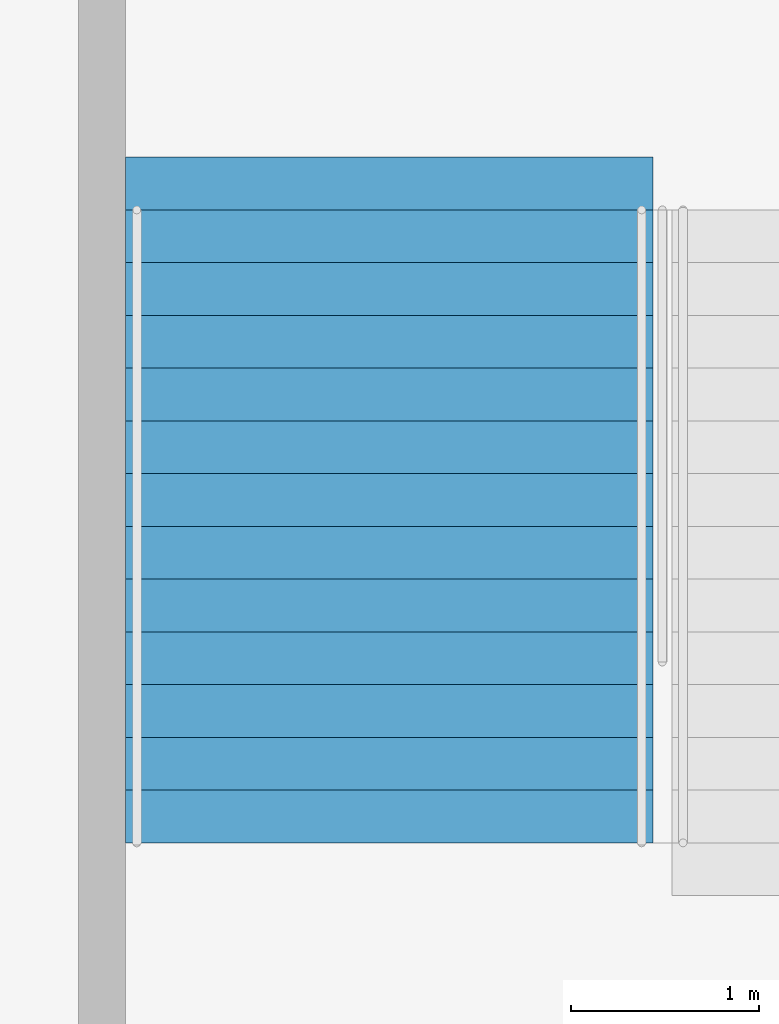
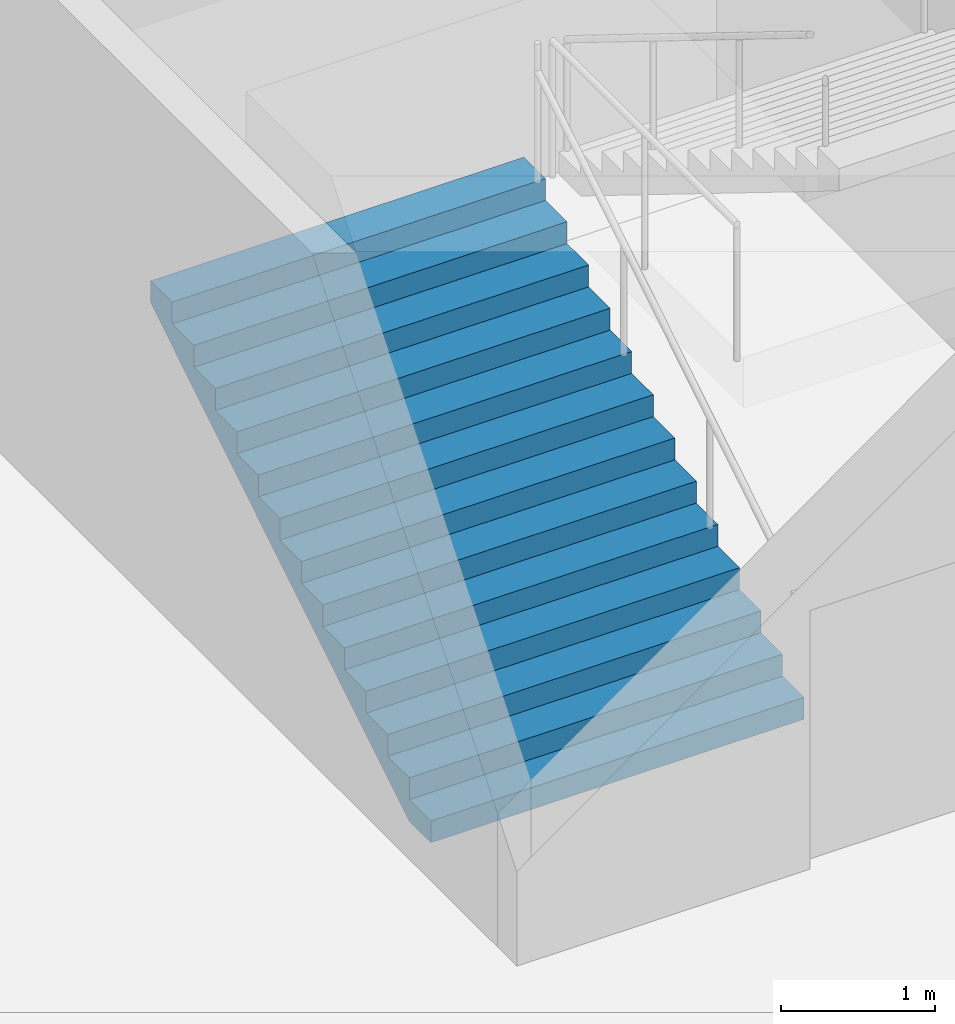
# One storey, part 102 of 115: 1 stair flight, 1 element without a shape of its own.
"""IFC4 building model written with IfcOpenShell, lengths in metres."""

from ifc_helpers import new_model, si_unit, direction, frame, origin, place, context, subcontext, project, spatial, faceted_brep, material, type_object, element, aggregate, save


model = new_model("IFC4")

# Units and contexts
model_context = context("Model", 3, precision=1e-05, world=origin(), true_north=direction((0.0, 1.0)))
body_context = subcontext(model_context, "Body", "Model", "MODEL_VIEW")
ifc_project = project(units=[si_unit("LENGTHUNIT", "METRE"), si_unit("AREAUNIT", "SQUARE_METRE"), si_unit("VOLUMEUNIT", "CUBIC_METRE"), si_unit("PLANEANGLEUNIT", "RADIAN"), si_unit("MASSUNIT", "GRAM", prefix="KILO")], contexts=[model_context])

# Site, building, storey
site_placement = place(None, origin())
site = spatial("IfcSite", under=ifc_project, at=site_placement, CompositionType="ELEMENT")
building_placement = place(site_placement, origin())
building = spatial("IfcBuilding", under=site, at=building_placement, Name="Ogive Plaza Stadium", CompositionType="ELEMENT")
storey_placement = place(building_placement, frame((0.0, 0.0, -4.5)))
storey = spatial("IfcBuildingStorey", under=building, at=storey_placement, Name="B1", CompositionType="ELEMENT", Elevation=-4.5)

# Stair, stair flight
ifc_material_1 = material(Name="Concrete C40/50", Category="concrete")
stair_type = type_object("IfcStairType", Name="Exit stair", PredefinedType="STRAIGHT_RUN_STAIR", material=ifc_material_1)
stair_placement = place(storey_placement, origin())
stair = element("IfcStair", 1, at=stair_placement, inside=storey, type_object=stair_type, Name="Exit stair ST36B B1 to L00", PredefinedType="STRAIGHT_RUN_STAIR")
ifc_material_2 = material(Name="Concrete C40/50", Category="concrete")
stair_flight_type = type_object("IfcStairFlightType", Name="Exit stair flight", PredefinedType="STRAIGHT", material=ifc_material_2)
stair_flight_placement = place(storey_placement, frame((15.97509765625, 94.85009765625, 0.0), z_axis=(0.0, 0.0, 1.0), x_axis=(0.0, 1.0, 0.0)))
stair_flight = element("IfcStairFlight", 2, at=stair_flight_placement, type_object=stair_flight_type, Name="ST36B flight 1", NumberOfRisers=13, NumberOfTreads=12, PredefinedType="STRAIGHT", RiserHeight=0.173076923, TreadLength=0.28, context=body_context, shape_type="Brep", body=[
    faceted_brep([(0.28515625, -1.39990234375, 0.0), (3.639892578125, -1.39990234375, 2.07373046875), (3.639892578125, -1.39990234375, 2.25), (3.360107421875, -1.39990234375, 2.25), (3.360107421875, -1.39990234375, 2.076904296875), (3.080078125, -1.39990234375, 2.076904296875), (3.080078125, -1.39990234375, 1.90380859375), (2.800048828125, -1.39990234375, 1.90380859375), (2.800048828125, -1.39990234375, 1.730712890625), (2.52001953125, -1.39990234375, 1.730712890625), (2.52001953125, -1.39990234375, 1.5576171875), (2.239990234375, -1.39990234375, 1.5576171875), (2.239990234375, -1.39990234375, 1.384521484375), (1.9599609375, -1.39990234375, 1.384521484375), (1.9599609375, -1.39990234375, 1.21142578125), (1.679931640625, -1.39990234375, 1.21142578125), (1.679931640625, -1.39990234375, 1.03857421875), (1.39990234375, -1.39990234375, 1.03857421875), (1.39990234375, -1.39990234375, 0.865478515625), (1.1201171875, -1.39990234375, 0.865478515625), (1.1201171875, -1.39990234375, 0.6923828125), (0.840087890625, -1.39990234375, 0.6923828125), (0.840087890625, -1.39990234375, 0.519287109375), (0.56005859375, -1.39990234375, 0.519287109375), (0.56005859375, -1.39990234375, 0.34619140625), (0.280029296875, -1.39990234375, 0.34619140625), (0.280029296875, -1.39990234375, 0.173095703125), (0.0, -1.39990234375, 0.173095703125), (0.0, -1.39990234375, 0.0), (0.0, 1.39990234375, 0.0), (0.0, 1.39990234375, 0.173095703125), (0.280029296875, 1.39990234375, 0.173095703125), (0.280029296875, 1.39990234375, 0.34619140625), (0.56005859375, 1.39990234375, 0.34619140625), (0.56005859375, 1.39990234375, 0.519287109375), (0.840087890625, 1.39990234375, 0.519287109375), (0.840087890625, 1.39990234375, 0.6923828125), (1.1201171875, 1.39990234375, 0.6923828125), (1.1201171875, 1.39990234375, 0.865478515625), (1.39990234375, 1.39990234375, 0.865478515625), (1.39990234375, 1.39990234375, 1.03857421875), (1.679931640625, 1.39990234375, 1.03857421875), (1.679931640625, 1.39990234375, 1.21142578125), (1.9599609375, 1.39990234375, 1.21142578125), (1.9599609375, 1.39990234375, 1.384521484375), (2.239990234375, 1.39990234375, 1.384521484375), (2.239990234375, 1.39990234375, 1.5576171875), (2.52001953125, 1.39990234375, 1.5576171875), (2.52001953125, 1.39990234375, 1.730712890625), (2.800048828125, 1.39990234375, 1.730712890625), (2.800048828125, 1.39990234375, 1.90380859375), (3.080078125, 1.39990234375, 1.90380859375), (3.080078125, 1.39990234375, 2.076904296875), (3.360107421875, 1.39990234375, 2.076904296875), (3.360107421875, 1.39990234375, 2.25), (3.639892578125, 1.39990234375, 2.25), (3.639892578125, 1.39990234375, 2.07373046875), (0.28515625, 1.39990234375, 0.0), (0.28515625, -1.0888671875, 0.0), (3.639892578125, -1.0888671875, 2.07373046875), (0.28515625, -0.77783203125, 0.0), (3.639892578125, -0.77783203125, 2.07373046875), (0.28515625, -0.466796875, 0.0), (3.639892578125, -0.466796875, 2.07373046875), (0.28515625, -0.155517578125, 0.0), (3.639892578125, -0.155517578125, 2.07373046875), (0.28515625, 0.155517578125, 0.0), (3.639892578125, 0.155517578125, 2.07373046875), (0.28515625, 0.466796875, 0.0), (3.639892578125, 0.466796875, 2.07373046875), (0.28515625, 0.77783203125, 0.0), (3.639892578125, 0.77783203125, 2.07373046875), (0.28515625, 1.0888671875, 0.0), (3.639892578125, 1.0888671875, 2.07373046875), (3.639892578125, -1.0888671875, 2.25), (3.639892578125, -0.77783203125, 2.25), (3.639892578125, -0.466796875, 2.25), (3.639892578125, -0.155517578125, 2.25), (3.639892578125, 0.155517578125, 2.25), (3.639892578125, 0.466796875, 2.25), (3.639892578125, 0.77783203125, 2.25), (3.639892578125, 1.0888671875, 2.25), (3.360107421875, -1.0888671875, 2.25), (3.360107421875, -0.77783203125, 2.25), (3.360107421875, -0.466796875, 2.25), (3.360107421875, -0.155517578125, 2.25), (3.360107421875, 0.155517578125, 2.25), (3.360107421875, 0.466796875, 2.25), (3.360107421875, 0.77783203125, 2.25), (3.360107421875, 1.0888671875, 2.25), (3.360107421875, -1.0888671875, 2.076904296875), (3.360107421875, -0.77783203125, 2.076904296875), (3.360107421875, -0.466796875, 2.076904296875), (3.360107421875, -0.155517578125, 2.076904296875), (3.360107421875, 0.155517578125, 2.076904296875), (3.360107421875, 0.466796875, 2.076904296875), (3.360107421875, 0.77783203125, 2.076904296875), (3.360107421875, 1.0888671875, 2.076904296875), (3.080078125, -1.0888671875, 2.076904296875), (3.080078125, -0.77783203125, 2.076904296875), (3.080078125, -0.466796875, 2.076904296875), (3.080078125, -0.155517578125, 2.076904296875), (3.080078125, 0.155517578125, 2.076904296875), (3.080078125, 0.466796875, 2.076904296875), (3.080078125, 0.77783203125, 2.076904296875), (3.080078125, 1.0888671875, 2.076904296875), (3.080078125, -1.0888671875, 1.90380859375), (3.080078125, -0.77783203125, 1.90380859375), (3.080078125, -0.466796875, 1.90380859375), (3.080078125, -0.155517578125, 1.90380859375), (3.080078125, 0.155517578125, 1.90380859375), (3.080078125, 0.466796875, 1.90380859375), (3.080078125, 0.77783203125, 1.90380859375), (3.080078125, 1.0888671875, 1.90380859375), (2.800048828125, -1.0888671875, 1.90380859375), (2.800048828125, -0.77783203125, 1.90380859375), (2.800048828125, -0.466796875, 1.90380859375), (2.800048828125, -0.155517578125, 1.90380859375), (2.800048828125, 0.155517578125, 1.90380859375), (2.800048828125, 0.466796875, 1.90380859375), (2.800048828125, 0.77783203125, 1.90380859375), (2.800048828125, 1.0888671875, 1.90380859375), (2.800048828125, -1.0888671875, 1.730712890625), (2.800048828125, -0.77783203125, 1.730712890625), (2.800048828125, -0.466796875, 1.730712890625), (2.800048828125, -0.155517578125, 1.730712890625), (2.800048828125, 0.155517578125, 1.730712890625), (2.800048828125, 0.466796875, 1.730712890625), (2.800048828125, 0.77783203125, 1.730712890625), (2.800048828125, 1.0888671875, 1.730712890625), (2.52001953125, -1.0888671875, 1.730712890625), (2.52001953125, -0.77783203125, 1.730712890625), (2.52001953125, -0.466796875, 1.730712890625), (2.52001953125, -0.155517578125, 1.730712890625), (2.52001953125, 0.155517578125, 1.730712890625), (2.52001953125, 0.466796875, 1.730712890625), (2.52001953125, 0.77783203125, 1.730712890625), (2.52001953125, 1.0888671875, 1.730712890625), (2.52001953125, -1.0888671875, 1.5576171875), (2.52001953125, -0.77783203125, 1.5576171875), (2.52001953125, -0.466796875, 1.5576171875), (2.52001953125, -0.155517578125, 1.5576171875), (2.52001953125, 0.155517578125, 1.5576171875), (2.52001953125, 0.466796875, 1.5576171875), (2.52001953125, 0.77783203125, 1.5576171875), (2.52001953125, 1.0888671875, 1.5576171875), (2.239990234375, -1.0888671875, 1.5576171875), (2.239990234375, -0.77783203125, 1.5576171875), (2.239990234375, -0.466796875, 1.5576171875), (2.239990234375, -0.155517578125, 1.5576171875), (2.239990234375, 0.155517578125, 1.5576171875), (2.239990234375, 0.466796875, 1.5576171875), (2.239990234375, 0.77783203125, 1.5576171875), (2.239990234375, 1.0888671875, 1.5576171875), (2.239990234375, -1.0888671875, 1.384521484375), (2.239990234375, -0.77783203125, 1.384521484375), (2.239990234375, -0.466796875, 1.384521484375), (2.239990234375, -0.155517578125, 1.384521484375), (2.239990234375, 0.155517578125, 1.384521484375), (2.239990234375, 0.466796875, 1.384521484375), (2.239990234375, 0.77783203125, 1.384521484375), (2.239990234375, 1.0888671875, 1.384521484375), (1.9599609375, -1.0888671875, 1.384521484375), (1.9599609375, -0.77783203125, 1.384521484375), (1.9599609375, -0.466796875, 1.384521484375), (1.9599609375, -0.155517578125, 1.384521484375), (1.9599609375, 0.155517578125, 1.384521484375), (1.9599609375, 0.466796875, 1.384521484375), (1.9599609375, 0.77783203125, 1.384521484375), (1.9599609375, 1.0888671875, 1.384521484375), (1.9599609375, -1.0888671875, 1.21142578125), (1.9599609375, -0.77783203125, 1.21142578125), (1.9599609375, -0.466796875, 1.21142578125), (1.9599609375, -0.155517578125, 1.21142578125), (1.9599609375, 0.155517578125, 1.21142578125), (1.9599609375, 0.466796875, 1.21142578125), (1.9599609375, 0.77783203125, 1.21142578125), (1.9599609375, 1.0888671875, 1.21142578125), (1.679931640625, -1.0888671875, 1.21142578125), (1.679931640625, -0.77783203125, 1.21142578125), (1.679931640625, -0.466796875, 1.21142578125), (1.679931640625, -0.155517578125, 1.21142578125), (1.679931640625, 0.155517578125, 1.21142578125), (1.679931640625, 0.466796875, 1.21142578125), (1.679931640625, 0.77783203125, 1.21142578125), (1.679931640625, 1.0888671875, 1.21142578125), (1.679931640625, -1.0888671875, 1.03857421875), (1.679931640625, -0.77783203125, 1.03857421875), (1.679931640625, -0.466796875, 1.03857421875), (1.679931640625, -0.155517578125, 1.03857421875), (1.679931640625, 0.155517578125, 1.03857421875), (1.679931640625, 0.466796875, 1.03857421875), (1.679931640625, 0.77783203125, 1.03857421875), (1.679931640625, 1.0888671875, 1.03857421875), (1.39990234375, -1.0888671875, 1.03857421875), (1.39990234375, -0.77783203125, 1.03857421875), (1.39990234375, -0.466796875, 1.03857421875), (1.39990234375, -0.155517578125, 1.03857421875), (1.39990234375, 0.155517578125, 1.03857421875), (1.39990234375, 0.466796875, 1.03857421875), (1.39990234375, 0.77783203125, 1.03857421875), (1.39990234375, 1.0888671875, 1.03857421875), (1.39990234375, -1.0888671875, 0.865478515625), (1.39990234375, -0.77783203125, 0.865478515625), (1.39990234375, -0.466796875, 0.865478515625), (1.39990234375, -0.155517578125, 0.865478515625), (1.39990234375, 0.155517578125, 0.865478515625), (1.39990234375, 0.466796875, 0.865478515625), (1.39990234375, 0.77783203125, 0.865478515625), (1.39990234375, 1.0888671875, 0.865478515625), (1.1201171875, -1.0888671875, 0.865478515625), (1.1201171875, -0.77783203125, 0.865478515625), (1.1201171875, -0.466796875, 0.865478515625), (1.1201171875, -0.155517578125, 0.865478515625), (1.1201171875, 0.155517578125, 0.865478515625), (1.1201171875, 0.466796875, 0.865478515625), (1.1201171875, 0.77783203125, 0.865478515625), (1.1201171875, 1.0888671875, 0.865478515625), (1.1201171875, -1.0888671875, 0.6923828125), (1.1201171875, -0.77783203125, 0.6923828125), (1.1201171875, -0.466796875, 0.6923828125), (1.1201171875, -0.155517578125, 0.6923828125), (1.1201171875, 0.155517578125, 0.6923828125), (1.1201171875, 0.466796875, 0.6923828125), (1.1201171875, 0.77783203125, 0.6923828125), (1.1201171875, 1.0888671875, 0.6923828125), (0.840087890625, -1.0888671875, 0.6923828125), (0.840087890625, -0.77783203125, 0.6923828125), (0.840087890625, -0.466796875, 0.6923828125), (0.840087890625, -0.155517578125, 0.6923828125), (0.840087890625, 0.155517578125, 0.6923828125), (0.840087890625, 0.466796875, 0.6923828125), (0.840087890625, 0.77783203125, 0.6923828125), (0.840087890625, 1.0888671875, 0.6923828125), (0.840087890625, -1.0888671875, 0.519287109375), (0.840087890625, -0.77783203125, 0.519287109375), (0.840087890625, -0.466796875, 0.519287109375), (0.840087890625, -0.155517578125, 0.519287109375), (0.840087890625, 0.155517578125, 0.519287109375), (0.840087890625, 0.466796875, 0.519287109375), (0.840087890625, 0.77783203125, 0.519287109375), (0.840087890625, 1.0888671875, 0.519287109375), (0.56005859375, -1.0888671875, 0.519287109375), (0.56005859375, -0.77783203125, 0.519287109375), (0.56005859375, -0.466796875, 0.519287109375), (0.56005859375, -0.155517578125, 0.519287109375), (0.56005859375, 0.155517578125, 0.519287109375), (0.56005859375, 0.466796875, 0.519287109375), (0.56005859375, 0.77783203125, 0.519287109375), (0.56005859375, 1.0888671875, 0.519287109375), (0.56005859375, -1.0888671875, 0.34619140625), (0.56005859375, -0.77783203125, 0.34619140625), (0.56005859375, -0.466796875, 0.34619140625), (0.56005859375, -0.155517578125, 0.34619140625), (0.56005859375, 0.155517578125, 0.34619140625), (0.56005859375, 0.466796875, 0.34619140625), (0.56005859375, 0.77783203125, 0.34619140625), (0.56005859375, 1.0888671875, 0.34619140625), (0.280029296875, -1.0888671875, 0.34619140625), (0.280029296875, -0.77783203125, 0.34619140625), (0.280029296875, -0.466796875, 0.34619140625), (0.280029296875, -0.155517578125, 0.34619140625), (0.280029296875, 0.155517578125, 0.34619140625), (0.280029296875, 0.466796875, 0.34619140625), (0.280029296875, 0.77783203125, 0.34619140625), (0.280029296875, 1.0888671875, 0.34619140625), (0.280029296875, -1.0888671875, 0.173095703125), (0.280029296875, -0.77783203125, 0.173095703125), (0.280029296875, -0.466796875, 0.173095703125), (0.280029296875, -0.155517578125, 0.173095703125), (0.280029296875, 0.155517578125, 0.173095703125), (0.280029296875, 0.466796875, 0.173095703125), (0.280029296875, 0.77783203125, 0.173095703125), (0.280029296875, 1.0888671875, 0.173095703125), (0.0, -1.0888671875, 0.173095703125), (0.0, -0.77783203125, 0.173095703125), (0.0, -0.466796875, 0.173095703125), (0.0, -0.155517578125, 0.173095703125), (0.0, 0.155517578125, 0.173095703125), (0.0, 0.466796875, 0.173095703125), (0.0, 0.77783203125, 0.173095703125), (0.0, 1.0888671875, 0.173095703125), (0.0, -1.0888671875, 0.0), (0.0, -0.77783203125, 0.0), (0.0, -0.466796875, 0.0), (0.0, -0.155517578125, 0.0), (0.0, 0.155517578125, 0.0), (0.0, 0.466796875, 0.0), (0.0, 0.77783203125, 0.0), (0.0, 1.0888671875, 0.0)], [[[0, 1, 2, 3, 4, 5, 6, 7, 8, 9, 10, 11, 12, 13, 14, 15, 16, 17, 18, 19, 20, 21, 22, 23, 24, 25, 26, 27, 28]], [[29, 30, 31, 32, 33, 34, 35, 36, 37, 38, 39, 40, 41, 42, 43, 44, 45, 46, 47, 48, 49, 50, 51, 52, 53, 54, 55, 56, 57]], [[0, 58, 59, 1]], [[58, 60, 61, 59]], [[60, 62, 63, 61]], [[62, 64, 65, 63]], [[64, 66, 67, 65]], [[66, 68, 69, 67]], [[68, 70, 71, 69]], [[70, 72, 73, 71]], [[72, 57, 56, 73]], [[1, 59, 74, 2]], [[59, 61, 75, 74]], [[61, 63, 76, 75]], [[63, 65, 77, 76]], [[65, 67, 78, 77]], [[67, 69, 79, 78]], [[69, 71, 80, 79]], [[71, 73, 81, 80]], [[73, 56, 55, 81]], [[2, 74, 82, 3]], [[74, 75, 83, 82]], [[75, 76, 84, 83]], [[76, 77, 85, 84]], [[77, 78, 86, 85]], [[78, 79, 87, 86]], [[79, 80, 88, 87]], [[80, 81, 89, 88]], [[81, 55, 54, 89]], [[3, 82, 90, 4]], [[82, 83, 91, 90]], [[83, 84, 92, 91]], [[84, 85, 93, 92]], [[85, 86, 94, 93]], [[86, 87, 95, 94]], [[87, 88, 96, 95]], [[88, 89, 97, 96]], [[89, 54, 53, 97]], [[4, 90, 98, 5]], [[90, 91, 99, 98]], [[91, 92, 100, 99]], [[92, 93, 101, 100]], [[93, 94, 102, 101]], [[94, 95, 103, 102]], [[95, 96, 104, 103]], [[96, 97, 105, 104]], [[97, 53, 52, 105]], [[5, 98, 106, 6]], [[98, 99, 107, 106]], [[99, 100, 108, 107]], [[100, 101, 109, 108]], [[101, 102, 110, 109]], [[102, 103, 111, 110]], [[103, 104, 112, 111]], [[104, 105, 113, 112]], [[105, 52, 51, 113]], [[6, 106, 114, 7]], [[106, 107, 115, 114]], [[107, 108, 116, 115]], [[108, 109, 117, 116]], [[109, 110, 118, 117]], [[110, 111, 119, 118]], [[111, 112, 120, 119]], [[112, 113, 121, 120]], [[113, 51, 50, 121]], [[7, 114, 122, 8]], [[114, 115, 123, 122]], [[115, 116, 124, 123]], [[116, 117, 125, 124]], [[117, 118, 126, 125]], [[118, 119, 127, 126]], [[119, 120, 128, 127]], [[120, 121, 129, 128]], [[121, 50, 49, 129]], [[8, 122, 130, 9]], [[122, 123, 131, 130]], [[123, 124, 132, 131]], [[124, 125, 133, 132]], [[125, 126, 134, 133]], [[126, 127, 135, 134]], [[127, 128, 136, 135]], [[128, 129, 137, 136]], [[129, 49, 48, 137]], [[9, 130, 138, 10]], [[130, 131, 139, 138]], [[131, 132, 140, 139]], [[132, 133, 141, 140]], [[133, 134, 142, 141]], [[134, 135, 143, 142]], [[135, 136, 144, 143]], [[136, 137, 145, 144]], [[137, 48, 47, 145]], [[10, 138, 146, 11]], [[138, 139, 147, 146]], [[139, 140, 148, 147]], [[140, 141, 149, 148]], [[141, 142, 150, 149]], [[142, 143, 151, 150]], [[143, 144, 152, 151]], [[144, 145, 153, 152]], [[145, 47, 46, 153]], [[11, 146, 154, 12]], [[146, 147, 155, 154]], [[147, 148, 156, 155]], [[148, 149, 157, 156]], [[149, 150, 158, 157]], [[150, 151, 159, 158]], [[151, 152, 160, 159]], [[152, 153, 161, 160]], [[153, 46, 45, 161]], [[12, 154, 162, 13]], [[154, 155, 163, 162]], [[155, 156, 164, 163]], [[156, 157, 165, 164]], [[157, 158, 166, 165]], [[158, 159, 167, 166]], [[159, 160, 168, 167]], [[160, 161, 169, 168]], [[161, 45, 44, 169]], [[13, 162, 170, 14]], [[162, 163, 171, 170]], [[163, 164, 172, 171]], [[164, 165, 173, 172]], [[165, 166, 174, 173]], [[166, 167, 175, 174]], [[167, 168, 176, 175]], [[168, 169, 177, 176]], [[169, 44, 43, 177]], [[14, 170, 178, 15]], [[170, 171, 179, 178]], [[171, 172, 180, 179]], [[172, 173, 181, 180]], [[173, 174, 182, 181]], [[174, 175, 183, 182]], [[175, 176, 184, 183]], [[176, 177, 185, 184]], [[177, 43, 42, 185]], [[15, 178, 186, 16]], [[178, 179, 187, 186]], [[179, 180, 188, 187]], [[180, 181, 189, 188]], [[181, 182, 190, 189]], [[182, 183, 191, 190]], [[183, 184, 192, 191]], [[184, 185, 193, 192]], [[185, 42, 41, 193]], [[16, 186, 194, 17]], [[186, 187, 195, 194]], [[187, 188, 196, 195]], [[188, 189, 197, 196]], [[189, 190, 198, 197]], [[190, 191, 199, 198]], [[191, 192, 200, 199]], [[192, 193, 201, 200]], [[193, 41, 40, 201]], [[17, 194, 202, 18]], [[194, 195, 203, 202]], [[195, 196, 204, 203]], [[196, 197, 205, 204]], [[197, 198, 206, 205]], [[198, 199, 207, 206]], [[199, 200, 208, 207]], [[200, 201, 209, 208]], [[201, 40, 39, 209]], [[18, 202, 210, 19]], [[202, 203, 211, 210]], [[203, 204, 212, 211]], [[204, 205, 213, 212]], [[205, 206, 214, 213]], [[206, 207, 215, 214]], [[207, 208, 216, 215]], [[208, 209, 217, 216]], [[209, 39, 38, 217]], [[19, 210, 218, 20]], [[210, 211, 219, 218]], [[211, 212, 220, 219]], [[212, 213, 221, 220]], [[213, 214, 222, 221]], [[214, 215, 223, 222]], [[215, 216, 224, 223]], [[216, 217, 225, 224]], [[217, 38, 37, 225]], [[20, 218, 226, 21]], [[218, 219, 227, 226]], [[219, 220, 228, 227]], [[220, 221, 229, 228]], [[221, 222, 230, 229]], [[222, 223, 231, 230]], [[223, 224, 232, 231]], [[224, 225, 233, 232]], [[225, 37, 36, 233]], [[21, 226, 234, 22]], [[226, 227, 235, 234]], [[227, 228, 236, 235]], [[228, 229, 237, 236]], [[229, 230, 238, 237]], [[230, 231, 239, 238]], [[231, 232, 240, 239]], [[232, 233, 241, 240]], [[233, 36, 35, 241]], [[22, 234, 242, 23]], [[234, 235, 243, 242]], [[235, 236, 244, 243]], [[236, 237, 245, 244]], [[237, 238, 246, 245]], [[238, 239, 247, 246]], [[239, 240, 248, 247]], [[240, 241, 249, 248]], [[241, 35, 34, 249]], [[23, 242, 250, 24]], [[242, 243, 251, 250]], [[243, 244, 252, 251]], [[244, 245, 253, 252]], [[245, 246, 254, 253]], [[246, 247, 255, 254]], [[247, 248, 256, 255]], [[248, 249, 257, 256]], [[249, 34, 33, 257]], [[24, 250, 258, 25]], [[250, 251, 259, 258]], [[251, 252, 260, 259]], [[252, 253, 261, 260]], [[253, 254, 262, 261]], [[254, 255, 263, 262]], [[255, 256, 264, 263]], [[256, 257, 265, 264]], [[257, 33, 32, 265]], [[25, 258, 266, 26]], [[258, 259, 267, 266]], [[259, 260, 268, 267]], [[260, 261, 269, 268]], [[261, 262, 270, 269]], [[262, 263, 271, 270]], [[263, 264, 272, 271]], [[264, 265, 273, 272]], [[265, 32, 31, 273]], [[26, 266, 274, 27]], [[266, 267, 275, 274]], [[267, 268, 276, 275]], [[268, 269, 277, 276]], [[269, 270, 278, 277]], [[270, 271, 279, 278]], [[271, 272, 280, 279]], [[272, 273, 281, 280]], [[273, 31, 30, 281]], [[27, 274, 282, 28]], [[274, 275, 283, 282]], [[275, 276, 284, 283]], [[276, 277, 285, 284]], [[277, 278, 286, 285]], [[278, 279, 287, 286]], [[279, 280, 288, 287]], [[280, 281, 289, 288]], [[281, 30, 29, 289]], [[28, 282, 58, 0]], [[282, 283, 60, 58]], [[283, 284, 62, 60]], [[284, 285, 64, 62]], [[285, 286, 66, 64]], [[286, 287, 68, 66]], [[287, 288, 70, 68]], [[288, 289, 72, 70]], [[289, 29, 57, 72]]]),
])
aggregate(stair, [stair_flight])

save(model, "model.ifc")
